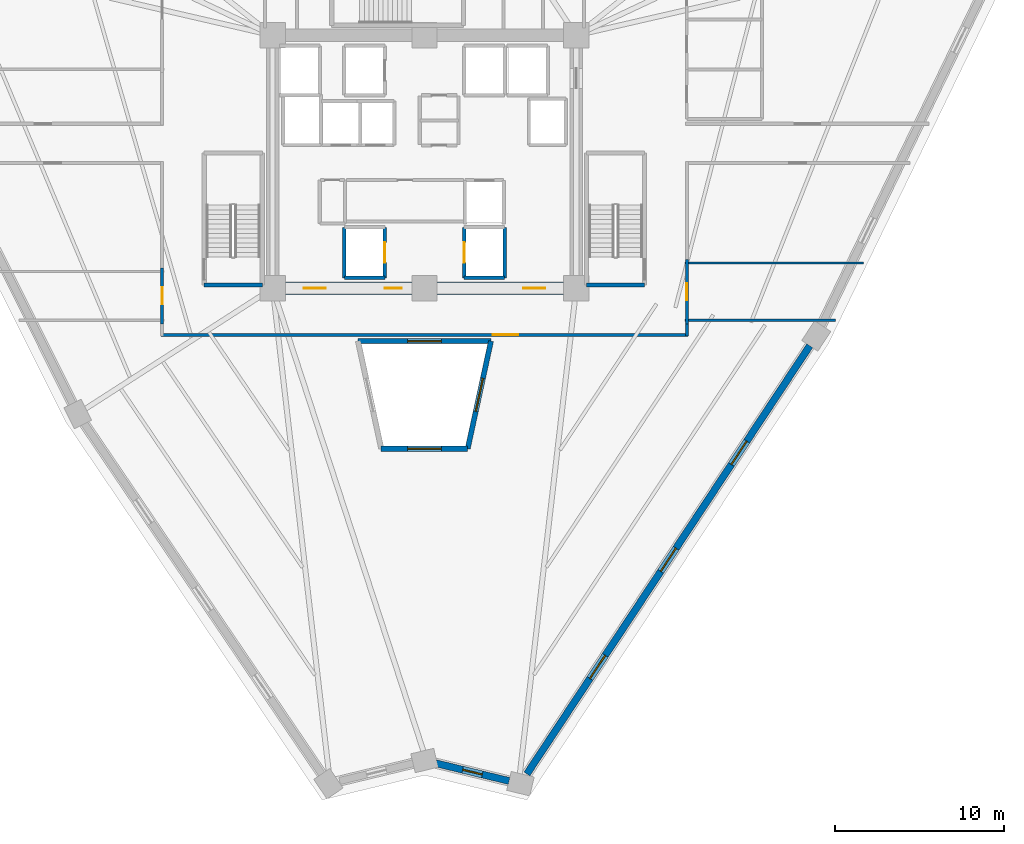
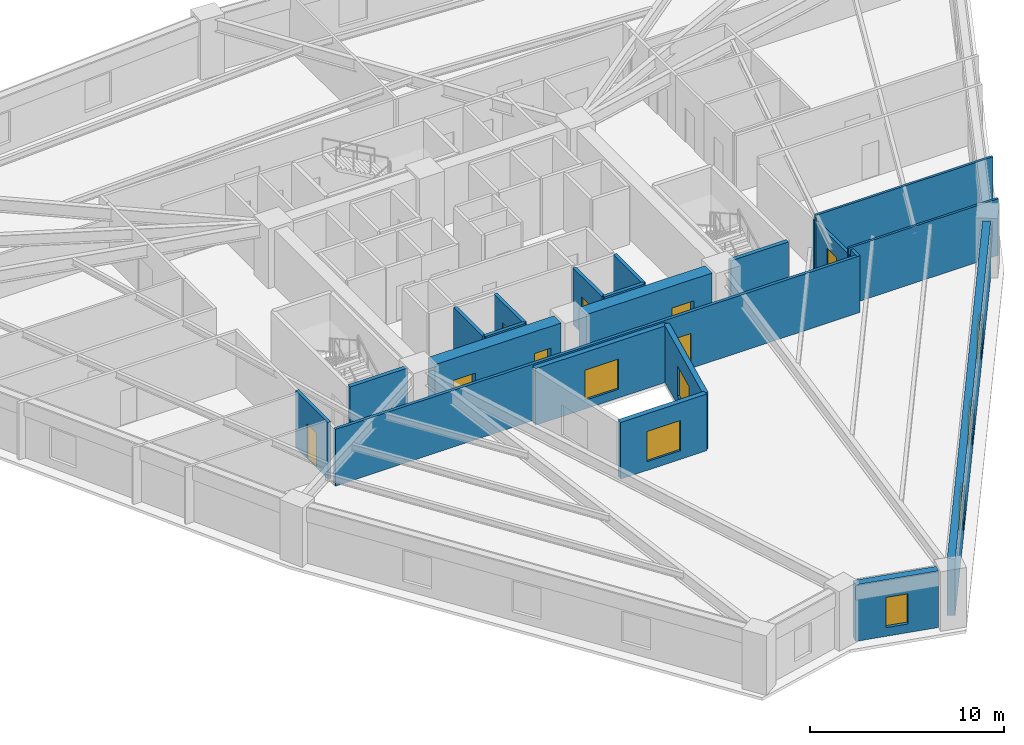
# One storey, part 3 of 8: 21 walls, 8 doors, 7 windows, 15 openings.
"""IFC4 building model written with IfcOpenShell, lengths in metres."""

from ifc_helpers import new_model, si_unit, direction, frame, frame_2d, origin, place, context, subcontext, project, spatial, rectangle, extrude, source, transform, mapped, material, layer, layer_set, type_object, element, fill, save


model = new_model("IFC4")

# Units and contexts
model_context = context("Model", 3, precision=1e-05, world=origin(), true_north=direction((0.0, 1.0)))
body_context = subcontext(model_context, "Body", "Model", "MODEL_VIEW")
ifc_project = project(units=[si_unit("LENGTHUNIT", "METRE"), si_unit("AREAUNIT", "SQUARE_METRE"), si_unit("VOLUMEUNIT", "CUBIC_METRE"), si_unit("PLANEANGLEUNIT", "RADIAN"), si_unit("MASSUNIT", "GRAM", prefix="KILO")], contexts=[model_context])

# Site, building, storey
site_placement = place(None, origin())
site = spatial("IfcSite", under=ifc_project, at=site_placement, CompositionType="ELEMENT")
building_placement = place(site_placement, origin())
building = spatial("IfcBuilding", under=site, at=building_placement, Name="Liaohun Quay Tower", CompositionType="ELEMENT")
storey_placement = place(building_placement, frame((0.0, 0.0, 174.0)))
storey = spatial("IfcBuildingStorey", under=building, at=storey_placement, Name="L45", CompositionType="ELEMENT", Elevation=174.0)

# Wall, opening, window
ifc_material_1 = material(Name="Concrete C50", Category="concrete")
ifc_layer_1 = layer(ifc_material_1, 0.300048828125, Name="Concrete C50", Category="concrete")
ifc_layer_set_1 = layer_set([ifc_layer_1], Name="Concrete C50")
wall_type_1 = type_object("IfcWallType", Name="WAL-ATR-300", PredefinedType="SOLIDWALL", material=ifc_layer_set_1)
wall_1_placement = place(storey_placement, frame((56.054931640625, 43.3701171875, 0.0), z_axis=(0.0, 0.0, 1.0), x_axis=(1.0, 0.0, 0.0)))
wall_1 = element("IfcWall", 1, at=wall_1_placement, inside=storey, type_object=wall_type_1, Name="L45 Atrium Fire Compartment Wall 2", PredefinedType="SOLIDWALL", context=body_context, shape_type="SweptSolid", body=[
    extrude(rectangle(XDim=7.89013671875, YDim=0.300048828125, at=frame_2d((3.945068359375, 0.0))), origin(), (0.0, 0.0, 1.0), 3.570068359375),
])
shared_shape_1 = source(origin(), body_context, "Body", "SweptSolid", [
    extrude(rectangle(XDim=2.0, YDim=1.89990234375, at=frame_2d((1.0, 0.949951171875))), frame((0.0, 0.159912109375, 0.0), z_axis=(0.0, -1.0, 0.0), x_axis=(1.0, 0.0, 0.0)), (0.0, 0.0, 1.0), 0.320068359375),
])
opening_1_placement = place(wall_1_placement, frame((2.945068359375, 0.0, 0.550048828125)))
opening_1 = element("IfcOpeningElement", 2, at=opening_1_placement, cuts=wall_1, Name="Opening W07", PredefinedType="OPENING", context=body_context, shape_type="MappedRepresentation", body=[
    mapped(shared_shape_1, transform((0.0, 0.0, 0.0), x_axis=(1.0, 0.0, 0.0), y_axis=(0.0, 1.0, 0.0), z_axis=(0.0, 0.0, 1.0), scale=1.0)),
])
ifc_material_2 = material(Name="Class A 180-min fire-resistant insulated glazing", Category="glass")
window_type_1 = type_object("IfcWindowType", Name="WIN-ATR-FIR", PartitioningType="DOUBLE_PANEL_VERTICAL", PredefinedType="WINDOW", material=ifc_material_2)
shared_shape_2 = source(origin(), body_context, "Body", "SweptSolid", [
    extrude(rectangle(XDim=2.0, YDim=1.89990234375, at=frame_2d((1.0, 0.949951171875))), frame((0.0, 0.030029296875, 0.0), z_axis=(0.0, -1.0, 0.0), x_axis=(1.0, 0.0, 0.0)), (0.0, 0.0, 1.0), 0.06005859375),
])
window_1_placement = place(opening_1_placement, origin())
window_1 = element("IfcWindow", 3, at=window_1_placement, inside=storey, type_object=window_type_1, Name="L45 Atrium Fire-Resistant Glazing W07-2", OverallHeight=1.89990234375, OverallWidth=2.0, PartitioningType="DOUBLE_PANEL_VERTICAL", PredefinedType="WINDOW", context=body_context, shape_type="MappedRepresentation", body=[
    mapped(shared_shape_2, transform((0.0, 0.0, 0.0), x_axis=(1.0, 0.0, 0.0), y_axis=(0.0, 1.0, 0.0), z_axis=(0.0, 0.0, 1.0), scale=1.0)),
])
fill(opening_1, window_1)

wall_2_placement = place(storey_placement, frame((63.945068359375, 43.3701171875, 0.0), z_axis=(0.0, 0.0, 1.0), x_axis=(-0.211414812525, -0.977396427784, 0.0)))
wall_2 = element("IfcWall", 4, at=wall_2_placement, inside=storey, type_object=wall_type_1, Name="L45 Atrium Fire Compartment Wall 3", PredefinedType="SOLIDWALL", context=body_context, shape_type="SweptSolid", body=[
    extrude(rectangle(XDim=6.53271484375, YDim=0.300048828125, at=frame_2d((3.266357421875, 0.0))), origin(), (0.0, 0.0, 1.0), 3.570068359375),
])
opening_2_placement = place(wall_2_placement, frame((2.26611328125, 0.0, 0.550048828125)))
opening_2 = element("IfcOpeningElement", 5, at=opening_2_placement, cuts=wall_2, Name="Opening W07", PredefinedType="OPENING", context=body_context, shape_type="MappedRepresentation", body=[
    mapped(shared_shape_1, transform((0.0, 0.0, 0.0), x_axis=(1.0, 0.0, 0.0), y_axis=(0.0, 1.0, 0.0), z_axis=(0.0, 0.0, 1.0), scale=1.0)),
])
window_2_placement = place(opening_2_placement, origin())
window_2 = element("IfcWindow", 6, at=window_2_placement, inside=storey, type_object=window_type_1, Name="L45 Atrium Fire-Resistant Glazing W07-3", OverallHeight=1.89990234375, OverallWidth=2.0, PartitioningType="DOUBLE_PANEL_VERTICAL", PredefinedType="WINDOW", context=body_context, shape_type="MappedRepresentation", body=[
    mapped(shared_shape_2, transform((0.0, 0.0, 0.0), x_axis=(1.0, 0.0, 0.0), y_axis=(0.0, 1.0, 0.0), z_axis=(0.0, 0.0, 1.0), scale=1.0)),
])
fill(opening_2, window_2)

wall_3_placement = place(storey_placement, frame((62.56396484375, 36.985107421875, 0.0), z_axis=(0.0, 0.0, 1.0), x_axis=(-1.0, 0.0, 0.0)))
wall_3 = element("IfcWall", 7, at=wall_3_placement, inside=storey, type_object=wall_type_1, Name="L45 Atrium Fire Compartment Wall 4", PredefinedType="SOLIDWALL", context=body_context, shape_type="SweptSolid", body=[
    extrude(rectangle(XDim=5.1279296875, YDim=0.300048828125, at=frame_2d((2.56396484375, 0.0))), origin(), (0.0, 0.0, 1.0), 3.570068359375),
])
opening_3_placement = place(wall_3_placement, frame((1.56396484375, 0.0, 0.550048828125)))
opening_3 = element("IfcOpeningElement", 8, at=opening_3_placement, cuts=wall_3, Name="Opening W07", PredefinedType="OPENING", context=body_context, shape_type="MappedRepresentation", body=[
    mapped(shared_shape_1, transform((0.0, 0.0, 0.0), x_axis=(1.0, 0.0, 0.0), y_axis=(0.0, 1.0, 0.0), z_axis=(0.0, 0.0, 1.0), scale=1.0)),
])
window_3_placement = place(opening_3_placement, origin())
window_3 = element("IfcWindow", 9, at=window_3_placement, inside=storey, type_object=window_type_1, Name="L45 Atrium Fire-Resistant Glazing W07-4", OverallHeight=1.89990234375, OverallWidth=2.0, PartitioningType="DOUBLE_PANEL_VERTICAL", PredefinedType="WINDOW", context=body_context, shape_type="MappedRepresentation", body=[
    mapped(shared_shape_2, transform((0.0, 0.0, 0.0), x_axis=(1.0, 0.0, 0.0), y_axis=(0.0, 1.0, 0.0), z_axis=(0.0, 0.0, 1.0), scale=1.0)),
])
fill(opening_3, window_3)

# Wall, opening, door
ifc_material_3 = material(Name="Concrete C60", Category="concrete")
ifc_layer_2 = layer(ifc_material_3, 0.75, Name="Concrete C60", Category="concrete")
ifc_layer_set_2 = layer_set([ifc_layer_2], Name="Concrete C60")
wall_type_2 = type_object("IfcWallType", Name="WAL-COR-Z2", PredefinedType="SHEAR", material=ifc_layer_set_2)
wall_4_placement = place(storey_placement, frame((68.25, 46.5, 0.0), z_axis=(0.0, 0.0, 1.0), x_axis=(-1.0, 0.0, 0.0)))
wall_4 = element("IfcWall", 10, at=wall_4_placement, inside=storey, type_object=wall_type_2, Name="L45 Central Core Shear Wall S-E", PredefinedType="SHEAR", context=body_context, shape_type="SweptSolid", body=[
    extrude(rectangle(XDim=7.5, YDim=0.75, at=frame_2d((3.75, 0.0))), origin(), (0.0, 0.0, 1.0), 3.570068359375),
])
shared_shape_3 = source(origin(), body_context, "Body", "SweptSolid", [
    extrude(rectangle(XDim=1.300048828125, YDim=2.199951171875, at=frame_2d((0.64990234375, 1.10009765625))), frame((0.0, 0.385009765625, 0.0), z_axis=(0.0, -1.0, 0.0), x_axis=(1.0, 0.0, 0.0)), (0.0, 0.0, 1.0), 0.77001953125),
])
opening_4_placement = place(wall_4_placement, frame((1.10009765625, 0.0, 0.0)))
opening_4 = element("IfcOpeningElement", 11, at=opening_4_placement, cuts=wall_4, Name="Opening FD1", PredefinedType="OPENING", context=body_context, shape_type="MappedRepresentation", body=[
    mapped(shared_shape_3, transform((0.0, 0.0, 0.0), x_axis=(1.0, 0.0, 0.0), y_axis=(0.0, 1.0, 0.0), z_axis=(0.0, 0.0, 1.0), scale=1.0)),
])
ifc_material_4 = material(Name="Galvanised steel smokeproof fire door", Category="steel")
door_type_1 = type_object("IfcDoorType", Name="DOR-FFL-1300", OperationType="NOTDEFINED", PredefinedType="DOOR", material=ifc_material_4)
shared_shape_4 = source(origin(), body_context, "Body", "SweptSolid", [
    extrude(rectangle(XDim=1.300048828125, YDim=2.199951171875, at=frame_2d((0.64990234375, 1.10009765625))), frame((0.0, 0.02490234375, 0.0), z_axis=(0.0, -1.0, 0.0), x_axis=(1.0, 0.0, 0.0)), (0.0, 0.0, 1.0), 0.050048828125),
])
door_1_placement = place(opening_4_placement, origin())
door_1 = element("IfcDoor", 12, at=door_1_placement, inside=storey, type_object=door_type_1, Name="L45 East Core Lift Lobby Smokeproof Door", OperationType="SINGLE_SWING_LEFT", OverallHeight=2.199951171875, OverallWidth=1.300048828125, PredefinedType="DOOR", context=body_context, shape_type="MappedRepresentation", body=[
    mapped(shared_shape_4, transform((0.0, 0.0, 0.0), x_axis=(1.0, 0.0, 0.0), y_axis=(0.0, 1.0, 0.0), z_axis=(0.0, 0.0, 1.0), scale=1.0)),
])
fill(opening_4, door_1)

# Wall, openings, doors
wall_5_placement = place(storey_placement, frame((59.25, 46.5, 0.0), z_axis=(0.0, 0.0, 1.0), x_axis=(-1.0, 0.0, 0.0)))
wall_5 = element("IfcWall", 13, at=wall_5_placement, inside=storey, type_object=wall_type_2, Name="L45 Central Core Shear Wall S-W", PredefinedType="SHEAR", context=body_context, shape_type="SweptSolid", body=[
    extrude(rectangle(XDim=7.5, YDim=0.75, at=frame_2d((3.75, 0.0))), origin(), (0.0, 0.0, 1.0), 3.570068359375),
])
opening_5_placement = place(wall_5_placement, frame((5.10009765625, 0.0, 0.0)))
opening_5 = element("IfcOpeningElement", 14, at=opening_5_placement, cuts=wall_5, Name="Opening FD1", PredefinedType="OPENING", context=body_context, shape_type="MappedRepresentation", body=[
    mapped(shared_shape_3, transform((0.0, 0.0, 0.0), x_axis=(1.0, 0.0, 0.0), y_axis=(0.0, 1.0, 0.0), z_axis=(0.0, 0.0, 1.0), scale=1.0)),
])
shared_shape_5 = source(origin(), body_context, "Body", "SweptSolid", [
    extrude(rectangle(XDim=1.0, YDim=2.199951171875, at=frame_2d((0.5, 1.10009765625))), frame((0.0, 0.385009765625, 0.0), z_axis=(0.0, -1.0, 0.0), x_axis=(1.0, 0.0, 0.0)), (0.0, 0.0, 1.0), 0.77001953125),
])
opening_6_placement = place(wall_5_placement, frame((0.60009765625, 0.0, 0.0)))
opening_6 = element("IfcOpeningElement", 15, at=opening_6_placement, cuts=wall_5, Name="Opening FD2", PredefinedType="OPENING", context=body_context, shape_type="MappedRepresentation", body=[
    mapped(shared_shape_5, transform((0.0, 0.0, 0.0), x_axis=(1.0, 0.0, 0.0), y_axis=(0.0, 1.0, 0.0), z_axis=(0.0, 0.0, 1.0), scale=1.0)),
])
door_2_placement = place(opening_5_placement, origin())
door_2 = element("IfcDoor", 16, at=door_2_placement, inside=storey, type_object=door_type_1, Name="L45 West Core Lift Lobby Smokeproof Door", OperationType="SINGLE_SWING_RIGHT", OverallHeight=2.199951171875, OverallWidth=1.300048828125, PredefinedType="DOOR", context=body_context, shape_type="MappedRepresentation", body=[
    mapped(shared_shape_4, transform((0.0, 0.0, 0.0), x_axis=(1.0, 0.0, 0.0), y_axis=(0.0, 1.0, 0.0), z_axis=(0.0, 0.0, 1.0), scale=1.0)),
])
fill(opening_5, door_2)
ifc_material_5 = material(Name="Galvanised steel smokeproof lobby fire door", Category="steel")
door_type_2 = type_object("IfcDoorType", Name="DOR-FFL-1000", OperationType="NOTDEFINED", PredefinedType="DOOR", material=ifc_material_5)
shared_shape_6 = source(origin(), body_context, "Body", "SweptSolid", [
    extrude(rectangle(XDim=1.0, YDim=2.199951171875, at=frame_2d((0.5, 1.10009765625))), frame((0.0, 0.02490234375, 0.0), z_axis=(0.0, -1.0, 0.0), x_axis=(1.0, 0.0, 0.0)), (0.0, 0.0, 1.0), 0.050048828125),
])
door_3_placement = place(opening_6_placement, origin())
door_3 = element("IfcDoor", 17, at=door_3_placement, inside=storey, type_object=door_type_2, Name="L45 South Firefighting Lobby Smokeproof Door", OperationType="SINGLE_SWING_LEFT", OverallHeight=2.199951171875, OverallWidth=1.0, PredefinedType="DOOR", context=body_context, shape_type="MappedRepresentation", body=[
    mapped(shared_shape_6, transform((0.0, 0.0, 0.0), x_axis=(1.0, 0.0, 0.0), y_axis=(0.0, 1.0, 0.0), z_axis=(0.0, 0.0, 1.0), scale=1.0)),
])
fill(opening_6, door_3)

# Wall, opening, window
ifc_material_6 = material(Name="Precast concrete C50 insulated sandwich", Category="concrete")
ifc_layer_3 = layer(ifc_material_6, 0.419921875, Name="Precast concrete C50 insulated sandwich", Category="concrete")
ifc_layer_set_3 = layer_set([ifc_layer_3], Name="Precast concrete C50 insulated sandwich")
wall_type_3 = type_object("IfcWallType", Name="WAL-EXT-Z12", PredefinedType="SOLIDWALL", material=ifc_layer_set_3)
wall_6_placement = place(storey_placement, frame((60.6708984375, 18.3359375, 0.0), z_axis=(0.0, 0.0, 1.0), x_axis=(0.972043157931, -0.234802255353, 0.0)))
wall_6 = element("IfcWall", 18, at=wall_6_placement, inside=storey, type_object=wall_type_3, Name="L45 Brutalist Precast Pier Wall 01", PredefinedType="SOLIDWALL", context=body_context, shape_type="SweptSolid", body=[
    extrude(rectangle(XDim=4.476318359375, YDim=0.419921875, at=frame_2d((2.23828125, 0.0))), origin(), (0.0, 0.0, 1.0), 3.570068359375),
])
shared_shape_7 = source(origin(), body_context, "Body", "SweptSolid", [
    extrude(rectangle(XDim=1.199951171875, YDim=1.89990234375, at=frame_2d((0.60009765625, 0.949951171875))), frame((0.0, 0.219970703125, 0.0), z_axis=(0.0, -1.0, 0.0), x_axis=(1.0, 0.0, 0.0)), (0.0, 0.0, 1.0), 0.43994140625),
])
opening_7_placement = place(wall_6_placement, frame((1.637939453125, 0.0, 0.550048828125)))
opening_7 = element("IfcOpeningElement", 19, at=opening_7_placement, cuts=wall_6, Name="Opening W05", PredefinedType="OPENING", context=body_context, shape_type="MappedRepresentation", body=[
    mapped(shared_shape_7, transform((0.0, 0.0, 0.0), x_axis=(1.0, 0.0, 0.0), y_axis=(0.0, 1.0, 0.0), z_axis=(0.0, 0.0, 1.0), scale=1.0)),
])
ifc_material_7 = material(Name="Triple Low-E corner notch glazing", Category="glass")
window_type_2 = type_object("IfcWindowType", Name="WIN-NOTCH", PartitioningType="SINGLE_PANEL", PredefinedType="WINDOW", material=ifc_material_7)
shared_shape_8 = source(origin(), body_context, "Body", "SweptSolid", [
    extrude(rectangle(XDim=1.199951171875, YDim=1.89990234375, at=frame_2d((0.60009765625, 0.949951171875))), frame((0.0, 0.030029296875, 0.0), z_axis=(0.0, -1.0, 0.0), x_axis=(1.0, 0.0, 0.0)), (0.0, 0.0, 1.0), 0.06005859375),
])
window_4_placement = place(opening_7_placement, origin())
window_4 = element("IfcWindow", 20, at=window_4_placement, inside=storey, type_object=window_type_2, Name="L45 Corner Notch Window W05-01", OverallHeight=1.89990234375, OverallWidth=1.199951171875, PartitioningType="SINGLE_PANEL", PredefinedType="WINDOW", context=body_context, shape_type="MappedRepresentation", body=[
    mapped(shared_shape_8, transform((0.0, 0.0, 0.0), x_axis=(1.0, 0.0, 0.0), y_axis=(0.0, 1.0, 0.0), z_axis=(0.0, 0.0, 1.0), scale=1.0)),
])
fill(opening_7, window_4)

# Wall, openings, windows
wall_7_placement = place(storey_placement, frame((66.072998046875, 17.698974609375, 0.0), z_axis=(0.0, 0.0, 1.0), x_axis=(0.551232339882, 0.834351788796, 0.0)))
wall_7 = element("IfcWall", 21, at=wall_7_placement, inside=storey, type_object=wall_type_3, Name="L45 Brutalist Precast Pier Wall 02", PredefinedType="SOLIDWALL", context=body_context, shape_type="SweptSolid", body=[
    extrude(rectangle(XDim=30.439208984375, YDim=0.419921875, at=frame_2d((15.2197265625, 0.0))), origin(), (0.0, 0.0, 1.0), 3.570068359375),
])
shared_shape_9 = source(origin(), body_context, "Body", "SweptSolid", [
    extrude(rectangle(XDim=1.64990234375, YDim=1.949951171875, at=frame_2d((0.824951171875, 0.97509765625))), frame((0.0, 0.219970703125, 0.0), z_axis=(0.0, -1.0, 0.0), x_axis=(1.0, 0.0, 0.0)), (0.0, 0.0, 1.0), 0.43994140625),
])
opening_8_placement = place(wall_7_placement, frame((6.784912109375, 0.0, 0.550048828125)))
opening_8 = element("IfcOpeningElement", 22, at=opening_8_placement, cuts=wall_7, Name="Opening W02", PredefinedType="OPENING", context=body_context, shape_type="MappedRepresentation", body=[
    mapped(shared_shape_9, transform((0.0, 0.0, 0.0), x_axis=(1.0, 0.0, 0.0), y_axis=(0.0, 1.0, 0.0), z_axis=(0.0, 0.0, 1.0), scale=1.0)),
])
opening_9_placement = place(wall_7_placement, frame((14.39501953125, 0.0, 0.550048828125)))
opening_9 = element("IfcOpeningElement", 23, at=opening_9_placement, cuts=wall_7, Name="Opening W02", PredefinedType="OPENING", context=body_context, shape_type="MappedRepresentation", body=[
    mapped(shared_shape_9, transform((0.0, 0.0, 0.0), x_axis=(1.0, 0.0, 0.0), y_axis=(0.0, 1.0, 0.0), z_axis=(0.0, 0.0, 1.0), scale=1.0)),
])
opening_10_placement = place(wall_7_placement, frame((22.00390625, 0.0, 0.550048828125)))
opening_10 = element("IfcOpeningElement", 24, at=opening_10_placement, cuts=wall_7, Name="Opening W02", PredefinedType="OPENING", context=body_context, shape_type="MappedRepresentation", body=[
    mapped(shared_shape_9, transform((0.0, 0.0, 0.0), x_axis=(1.0, 0.0, 0.0), y_axis=(0.0, 1.0, 0.0), z_axis=(0.0, 0.0, 1.0), scale=1.0)),
])
ifc_material_8 = material(Name="Triple Low-E argon glazing in thermally broken aluminium", Category="aluminium")
window_type_3 = type_object("IfcWindowType", Name="WIN-PUN-Z2", PartitioningType="DOUBLE_PANEL_VERTICAL", PredefinedType="WINDOW", material=ifc_material_8)
shared_shape_10 = source(origin(), body_context, "Body", "SweptSolid", [
    extrude(rectangle(XDim=1.64990234375, YDim=1.949951171875, at=frame_2d((0.824951171875, 0.97509765625))), frame((0.0, 0.030029296875, 0.0), z_axis=(0.0, -1.0, 0.0), x_axis=(1.0, 0.0, 0.0)), (0.0, 0.0, 1.0), 0.06005859375),
])
window_5_placement = place(opening_8_placement, origin())
window_5 = element("IfcWindow", 25, at=window_5_placement, inside=storey, type_object=window_type_3, Name="L45 Recessed Cold-Climate Punched Window 02-1", OverallHeight=1.949951171875, OverallWidth=1.64990234375, PartitioningType="DOUBLE_PANEL_VERTICAL", PredefinedType="WINDOW", context=body_context, shape_type="MappedRepresentation", body=[
    mapped(shared_shape_10, transform((0.0, 0.0, 0.0), x_axis=(1.0, 0.0, 0.0), y_axis=(0.0, 1.0, 0.0), z_axis=(0.0, 0.0, 1.0), scale=1.0)),
])
fill(opening_8, window_5)
window_6_placement = place(opening_9_placement, origin())
window_6 = element("IfcWindow", 26, at=window_6_placement, inside=storey, type_object=window_type_3, Name="L45 Recessed Cold-Climate Punched Window 02-2", OverallHeight=1.949951171875, OverallWidth=1.64990234375, PartitioningType="DOUBLE_PANEL_VERTICAL", PredefinedType="WINDOW", context=body_context, shape_type="MappedRepresentation", body=[
    mapped(shared_shape_10, transform((0.0, 0.0, 0.0), x_axis=(1.0, 0.0, 0.0), y_axis=(0.0, 1.0, 0.0), z_axis=(0.0, 0.0, 1.0), scale=1.0)),
])
fill(opening_9, window_6)
window_7_placement = place(opening_10_placement, origin())
window_7 = element("IfcWindow", 27, at=window_7_placement, inside=storey, type_object=window_type_3, Name="L45 Recessed Cold-Climate Punched Window 02-3", OverallHeight=1.949951171875, OverallWidth=1.64990234375, PartitioningType="DOUBLE_PANEL_VERTICAL", PredefinedType="WINDOW", context=body_context, shape_type="MappedRepresentation", body=[
    mapped(shared_shape_10, transform((0.0, 0.0, 0.0), x_axis=(1.0, 0.0, 0.0), y_axis=(0.0, 1.0, 0.0), z_axis=(0.0, 0.0, 1.0), scale=1.0)),
])
fill(opening_10, window_7)

# Wall, opening, door
ifc_material_9 = material(Name="Autoclaved aerated concrete blockwork", Category="masonry")
ifc_layer_4 = layer(ifc_material_9, 0.179931640625, Name="Autoclaved aerated concrete blockwork", Category="masonry")
ifc_layer_set_4 = layer_set([ifc_layer_4], Name="Autoclaved aerated concrete blockwork")
wall_type_4 = type_object("IfcWallType", Name="WAL-PRT-COR", PredefinedType="PARTITIONING", material=ifc_layer_set_4)
wall_8_placement = place(storey_placement, frame((44.43994140625, 44.385009765625, 0.0), z_axis=(0.0, 0.0, 1.0), x_axis=(0.0, 1.0, 0.0)))
wall_8 = element("IfcWall", 28, at=wall_8_placement, inside=storey, type_object=wall_type_4, Name="L45 Interior Partition Wall 021", PredefinedType="PARTITIONING", context=body_context, shape_type="SweptSolid", body=[
    extrude(rectangle(XDim=3.330078125, YDim=0.179931640625, at=frame_2d((1.6650390625, 0.0))), origin(), (0.0, 0.0, 1.0), 3.570068359375),
])
shared_shape_11 = source(origin(), body_context, "Body", "SweptSolid", [
    extrude(rectangle(XDim=1.0, YDim=2.199951171875, at=frame_2d((0.5, 1.10009765625))), frame((0.0, 0.099853515625, 0.0), z_axis=(0.0, -1.0, 0.0), x_axis=(1.0, 0.0, 0.0)), (0.0, 0.0, 1.0), 0.199951171875),
])
opening_11_placement = place(wall_8_placement, frame((1.1650390625, 0.0, 0.0)))
opening_11 = element("IfcOpeningElement", 29, at=opening_11_placement, cuts=wall_8, Name="Opening OD1", PredefinedType="OPENING", context=body_context, shape_type="MappedRepresentation", body=[
    mapped(shared_shape_11, transform((0.0, 0.0, 0.0), x_axis=(1.0, 0.0, 0.0), y_axis=(0.0, 1.0, 0.0), z_axis=(0.0, 0.0, 1.0), scale=1.0)),
])
ifc_material_10 = material(Name="Solid-core oak veneer timber leaf in steel frame", Category="steel")
door_type_3 = type_object("IfcDoorType", Name="DOR-OFF-1000", OperationType="NOTDEFINED", PredefinedType="DOOR", material=ifc_material_10)
door_4_placement = place(opening_11_placement, origin())
door_4 = element("IfcDoor", 30, at=door_4_placement, inside=storey, type_object=door_type_3, Name="L45 Technical Reference Library 07 Door", OperationType="SINGLE_SWING_RIGHT", OverallHeight=2.199951171875, OverallWidth=1.0, PredefinedType="DOOR", context=body_context, shape_type="MappedRepresentation", body=[
    mapped(shared_shape_6, transform((0.0, 0.0, 0.0), x_axis=(1.0, 0.0, 0.0), y_axis=(0.0, 1.0, 0.0), z_axis=(0.0, 0.0, 1.0), scale=1.0)),
])
fill(opening_11, door_4)

wall_9_placement = place(storey_placement, frame((75.6298828125, 43.739990234375, 0.0), z_axis=(0.0, 0.0, 1.0), x_axis=(-1.0, 0.0, 0.0)))
wall_9 = element("IfcWall", 31, at=wall_9_placement, inside=storey, type_object=wall_type_4, Name="L45 Interior Partition Wall 022", PredefinedType="PARTITIONING", context=body_context, shape_type="SweptSolid", body=[
    extrude(rectangle(XDim=31.259765625, YDim=0.179931640625, at=frame_2d((15.6298828125, 0.0))), origin(), (0.0, 0.0, 1.0), 3.570068359375),
])
shared_shape_12 = source(origin(), body_context, "Body", "SweptSolid", [
    extrude(rectangle(XDim=1.5, YDim=2.199951171875, at=frame_2d((0.75, 1.10009765625))), frame((0.0, 0.099853515625, 0.0), z_axis=(0.0, -1.0, 0.0), x_axis=(1.0, 0.0, 0.0)), (0.0, 0.0, 1.0), 0.199951171875),
])
opening_12_placement = place(wall_9_placement, frame((10.080078125, 0.0, 0.0)))
opening_12 = element("IfcOpeningElement", 32, at=opening_12_placement, cuts=wall_9, Name="Opening OD2", PredefinedType="OPENING", context=body_context, shape_type="MappedRepresentation", body=[
    mapped(shared_shape_12, transform((0.0, 0.0, 0.0), x_axis=(1.0, 0.0, 0.0), y_axis=(0.0, 1.0, 0.0), z_axis=(0.0, 0.0, 1.0), scale=1.0)),
])
ifc_material_11 = material(Name="Acoustic oak veneer double door")
door_type_4 = type_object("IfcDoorType", Name="DOR-OFF-1500", OperationType="DOUBLE_DOOR_SINGLE_SWING", PredefinedType="DOOR", material=ifc_material_11)
shared_shape_13 = source(origin(), body_context, "Body", "SweptSolid", [
    extrude(rectangle(XDim=1.5, YDim=2.199951171875, at=frame_2d((0.75, 1.10009765625))), frame((0.0, 0.02490234375, 0.0), z_axis=(0.0, -1.0, 0.0), x_axis=(1.0, 0.0, 0.0)), (0.0, 0.0, 1.0), 0.050048828125),
])
door_5_placement = place(opening_12_placement, origin())
door_5 = element("IfcDoor", 33, at=door_5_placement, inside=storey, type_object=door_type_4, Name="L45 Corporate Exhibition Gallery 08 Door", OperationType="DOUBLE_DOOR_SINGLE_SWING", OverallHeight=2.199951171875, OverallWidth=1.5, PredefinedType="DOOR", context=body_context, shape_type="MappedRepresentation", body=[
    mapped(shared_shape_13, transform((0.0, 0.0, 0.0), x_axis=(1.0, 0.0, 0.0), y_axis=(0.0, 1.0, 0.0), z_axis=(0.0, 0.0, 1.0), scale=1.0)),
])
fill(opening_12, door_5)

wall_10_placement = place(storey_placement, frame((75.56005859375, 48.215087890625, 0.0), z_axis=(0.0, 0.0, 1.0), x_axis=(0.0, -1.0, 0.0)))
wall_10 = element("IfcWall", 34, at=wall_10_placement, inside=storey, type_object=wall_type_4, Name="L45 Interior Partition Wall 023", PredefinedType="PARTITIONING", context=body_context, shape_type="SweptSolid", body=[
    extrude(rectangle(XDim=3.830078125, YDim=0.179931640625, at=frame_2d((1.9150390625, 0.0))), origin(), (0.0, 0.0, 1.0), 3.155029296875),
])
opening_13_placement = place(wall_10_placement, frame((1.4150390625, 0.0, 0.0)))
opening_13 = element("IfcOpeningElement", 35, at=opening_13_placement, cuts=wall_10, Name="Opening OD1", PredefinedType="OPENING", context=body_context, shape_type="MappedRepresentation", body=[
    mapped(shared_shape_11, transform((0.0, 0.0, 0.0), x_axis=(1.0, 0.0, 0.0), y_axis=(0.0, 1.0, 0.0), z_axis=(0.0, 0.0, 1.0), scale=1.0)),
])
door_6_placement = place(opening_13_placement, origin())
door_6 = element("IfcDoor", 36, at=door_6_placement, inside=storey, type_object=door_type_3, Name="L45 Records Archive Store 09 Door", OperationType="SINGLE_SWING_RIGHT", OverallHeight=2.199951171875, OverallWidth=1.0, PredefinedType="DOOR", context=body_context, shape_type="MappedRepresentation", body=[
    mapped(shared_shape_6, transform((0.0, 0.0, 0.0), x_axis=(1.0, 0.0, 0.0), y_axis=(0.0, 1.0, 0.0), z_axis=(0.0, 0.0, 1.0), scale=1.0)),
])
fill(opening_13, door_6)

# Walls
wall_11_placement = place(storey_placement, frame((75.56005859375, 44.385009765625, 0.0), z_axis=(0.0, 0.0, 1.0), x_axis=(0.0, -1.0, 0.0)))
element("IfcWall", 37, at=wall_11_placement, inside=storey, type_object=wall_type_4, Name="L45 Interior Partition Wall 047", PredefinedType="PARTITIONING", context=body_context, shape_type="SweptSolid", body=[
    extrude(rectangle(XDim=0.715087890625, YDim=0.179931640625, at=frame_2d((0.357421875, 0.0))), origin(), (0.0, 0.0, 1.0), 3.570068359375),
])
ifc_material_12 = material(Name="Gypsum board on twin steel studs", Category="steel")
ifc_layer_5 = layer(ifc_material_12, 0.139892578125, Name="Gypsum board on twin steel studs", Category="steel")
ifc_layer_set_5 = layer_set([ifc_layer_5], Name="Gypsum board on twin steel studs")
wall_type_5 = type_object("IfcWallType", Name="WAL-PRT-OFF", PredefinedType="PARTITIONING", material=ifc_layer_set_5)
wall_12_placement = place(storey_placement, frame((75.4599609375, 44.60009765625, 0.0), z_axis=(0.0, 0.0, 1.0), x_axis=(1.0, 0.0, 0.0)))
element("IfcWall", 38, at=wall_12_placement, inside=storey, type_object=wall_type_5, Name="L45 Interior Partition Wall 053", PredefinedType="PARTITIONING", context=body_context, shape_type="SweptSolid", body=[
    extrude(rectangle(XDim=8.922119140625, YDim=0.139892578125, at=frame_2d((4.4609375, 0.0))), origin(), (0.0, 0.0, 1.0), 3.570068359375),
])
wall_13_placement = place(storey_placement, frame((75.4599609375, 48.0, 0.0), z_axis=(0.0, 0.0, 1.0), x_axis=(1.0, 0.0, 0.0)))
element("IfcWall", 39, at=wall_13_placement, inside=storey, type_object=wall_type_5, Name="L45 Interior Partition Wall 054", PredefinedType="PARTITIONING", context=body_context, shape_type="SweptSolid", body=[
    extrude(rectangle(XDim=10.571044921875, YDim=0.139892578125, at=frame_2d((5.28564453125, 0.0))), origin(), (0.0, 0.0, 1.0), 3.570068359375),
])
ifc_layer_6 = layer(ifc_material_1, 0.239990234375, Name="Concrete C50", Category="concrete")
ifc_layer_set_6 = layer_set([ifc_layer_6], Name="Concrete C50")
wall_type_6 = type_object("IfcWallType", Name="WAL-SHF-200", PredefinedType="SOLIDWALL", material=ifc_layer_set_6)
for number, where, z_axis, x_axis, name in (
    (40, (46.93994140625, 46.699951171875, 0.0), (0.0, 0.0, 1.0), (1.0, 0.0, 0.0), "L45 Stairwell ST-1 Structural Core Wall S"),
    (41, (69.6201171875, 46.699951171875, 0.0), (0.0, 0.0, 1.0), (1.0, 0.0, 0.0), "L45 Stairwell ST-2 Structural Core Wall S"),
):
    element("IfcWall", number, at=place(storey_placement, frame(where, z_axis=z_axis, x_axis=x_axis)), inside=storey, type_object=wall_type_6, Name=name, PredefinedType="SOLIDWALL", context=body_context, shape_type="SweptSolid", body=[
        extrude(rectangle(XDim=3.43994140625, YDim=0.239990234375, at=frame_2d((1.719970703125, 0.0))), origin(), (0.0, 0.0, 1.0), 3.570068359375),
    ])
wall_14_placement = place(storey_placement, frame((55.25, 47.1201171875, 0.0), z_axis=(0.0, 0.0, 1.0), x_axis=(1.0, 0.0, 0.0)))
element("IfcWall", 42, at=wall_14_placement, inside=storey, type_object=wall_type_6, Name="L45 Lift FF-01 Hoistway Wall S", PredefinedType="SOLIDWALL", context=body_context, shape_type="SweptSolid", body=[
    extrude(rectangle(XDim=2.39990234375, YDim=0.199951171875, at=frame_2d((1.199951171875, 0.0))), origin(), (0.0, 0.0, 1.0), 3.570068359375),
])

# Wall, opening, door
wall_15_placement = place(storey_placement, frame((57.64990234375, 47.1201171875, 0.0), z_axis=(0.0, 0.0, 1.0), x_axis=(0.0, 1.0, 0.0)))
wall_15 = element("IfcWall", 43, at=wall_15_placement, inside=storey, type_object=wall_type_6, Name="L45 Lift FF-01 Hoistway Wall E", PredefinedType="SOLIDWALL", context=body_context, shape_type="SweptSolid", body=[
    extrude(rectangle(XDim=3.0, YDim=0.199951171875, at=frame_2d((1.5, 0.0))), origin(), (0.0, 0.0, 1.0), 3.570068359375),
])
shared_shape_14 = source(origin(), body_context, "Body", "SweptSolid", [
    extrude(rectangle(XDim=1.199951171875, YDim=2.300048828125, at=frame_2d((0.60009765625, 1.14990234375))), frame((0.0, 0.10986328125, 0.0), z_axis=(0.0, -1.0, 0.0), x_axis=(1.0, 0.0, 0.0)), (0.0, 0.0, 1.0), 0.219970703125),
])
opening_14_placement = place(wall_15_placement, frame((0.89990234375, 0.0, 0.0)))
opening_14 = element("IfcOpeningElement", 44, at=opening_14_placement, cuts=wall_15, Name="Opening LD2", PredefinedType="OPENING", context=body_context, shape_type="MappedRepresentation", body=[
    mapped(shared_shape_14, transform((0.0, 0.0, 0.0), x_axis=(1.0, 0.0, 0.0), y_axis=(0.0, 1.0, 0.0), z_axis=(0.0, 0.0, 1.0), scale=1.0)),
])
ifc_material_13 = material(Name="Brushed stainless steel stretcher landing door", Category="steel")
door_type_5 = type_object("IfcDoorType", Name="DOR-LFT-1200", OperationType="SLIDING_TO_LEFT", PredefinedType="DOOR", material=ifc_material_13)
shared_shape_15 = source(origin(), body_context, "Body", "SweptSolid", [
    extrude(rectangle(XDim=1.199951171875, YDim=2.300048828125, at=frame_2d((0.60009765625, 1.14990234375))), frame((0.0, 0.02490234375, 0.0), z_axis=(0.0, -1.0, 0.0), x_axis=(1.0, 0.0, 0.0)), (0.0, 0.0, 1.0), 0.050048828125),
])
door_7_placement = place(opening_14_placement, origin())
door_7 = element("IfcDoor", 45, at=door_7_placement, inside=storey, type_object=door_type_5, Name="L45 Lift FF-01 Sliding Landing Door", OperationType="SLIDING_TO_LEFT", OverallHeight=2.300048828125, OverallWidth=1.199951171875, PredefinedType="DOOR", context=body_context, shape_type="MappedRepresentation", body=[
    mapped(shared_shape_15, transform((0.0, 0.0, 0.0), x_axis=(1.0, 0.0, 0.0), y_axis=(0.0, 1.0, 0.0), z_axis=(0.0, 0.0, 1.0), scale=1.0)),
])
fill(opening_14, door_7)

# Walls
wall_16_placement = place(storey_placement, frame((55.25, 50.1201171875, 0.0), z_axis=(0.0, 0.0, 1.0), x_axis=(0.0, -1.0, 0.0)))
element("IfcWall", 46, at=wall_16_placement, inside=storey, type_object=wall_type_6, Name="L45 Lift FF-01 Hoistway Wall W", PredefinedType="SOLIDWALL", context=body_context, shape_type="SweptSolid", body=[
    extrude(rectangle(XDim=3.0, YDim=0.199951171875, at=frame_2d((1.5, 0.0))), origin(), (0.0, 0.0, 1.0), 3.570068359375),
])
wall_17_placement = place(storey_placement, frame((62.35009765625, 47.1201171875, 0.0), z_axis=(0.0, 0.0, 1.0), x_axis=(1.0, 0.0, 0.0)))
element("IfcWall", 47, at=wall_17_placement, inside=storey, type_object=wall_type_6, Name="L45 Lift FF-02 Hoistway Wall S", PredefinedType="SOLIDWALL", context=body_context, shape_type="SweptSolid", body=[
    extrude(rectangle(XDim=2.39990234375, YDim=0.199951171875, at=frame_2d((1.199951171875, 0.0))), origin(), (0.0, 0.0, 1.0), 3.570068359375),
])
wall_18_placement = place(storey_placement, frame((64.75, 47.1201171875, 0.0), z_axis=(0.0, 0.0, 1.0), x_axis=(0.0, 1.0, 0.0)))
element("IfcWall", 48, at=wall_18_placement, inside=storey, type_object=wall_type_6, Name="L45 Lift FF-02 Hoistway Wall E", PredefinedType="SOLIDWALL", context=body_context, shape_type="SweptSolid", body=[
    extrude(rectangle(XDim=3.0, YDim=0.199951171875, at=frame_2d((1.5, 0.0))), origin(), (0.0, 0.0, 1.0), 3.570068359375),
])

# Wall, opening, door
wall_19_placement = place(storey_placement, frame((62.35009765625, 50.1201171875, 0.0), z_axis=(0.0, 0.0, 1.0), x_axis=(0.0, -1.0, 0.0)))
wall_19 = element("IfcWall", 49, at=wall_19_placement, inside=storey, type_object=wall_type_6, Name="L45 Lift FF-02 Hoistway Wall W", PredefinedType="SOLIDWALL", context=body_context, shape_type="SweptSolid", body=[
    extrude(rectangle(XDim=3.0, YDim=0.199951171875, at=frame_2d((1.5, 0.0))), origin(), (0.0, 0.0, 1.0), 3.570068359375),
])
opening_15_placement = place(wall_19_placement, frame((0.89990234375, 0.0, 0.0)))
opening_15 = element("IfcOpeningElement", 50, at=opening_15_placement, cuts=wall_19, Name="Opening LD2", PredefinedType="OPENING", context=body_context, shape_type="MappedRepresentation", body=[
    mapped(shared_shape_14, transform((0.0, 0.0, 0.0), x_axis=(1.0, 0.0, 0.0), y_axis=(0.0, 1.0, 0.0), z_axis=(0.0, 0.0, 1.0), scale=1.0)),
])
door_8_placement = place(opening_15_placement, origin())
door_8 = element("IfcDoor", 51, at=door_8_placement, inside=storey, type_object=door_type_5, Name="L45 Lift FF-02 Sliding Landing Door", OperationType="SLIDING_TO_LEFT", OverallHeight=2.300048828125, OverallWidth=1.199951171875, PredefinedType="DOOR", context=body_context, shape_type="MappedRepresentation", body=[
    mapped(shared_shape_15, transform((0.0, 0.0, 0.0), x_axis=(1.0, 0.0, 0.0), y_axis=(0.0, 1.0, 0.0), z_axis=(0.0, 0.0, 1.0), scale=1.0)),
])
fill(opening_15, door_8)

save(model, "model.ifc")
